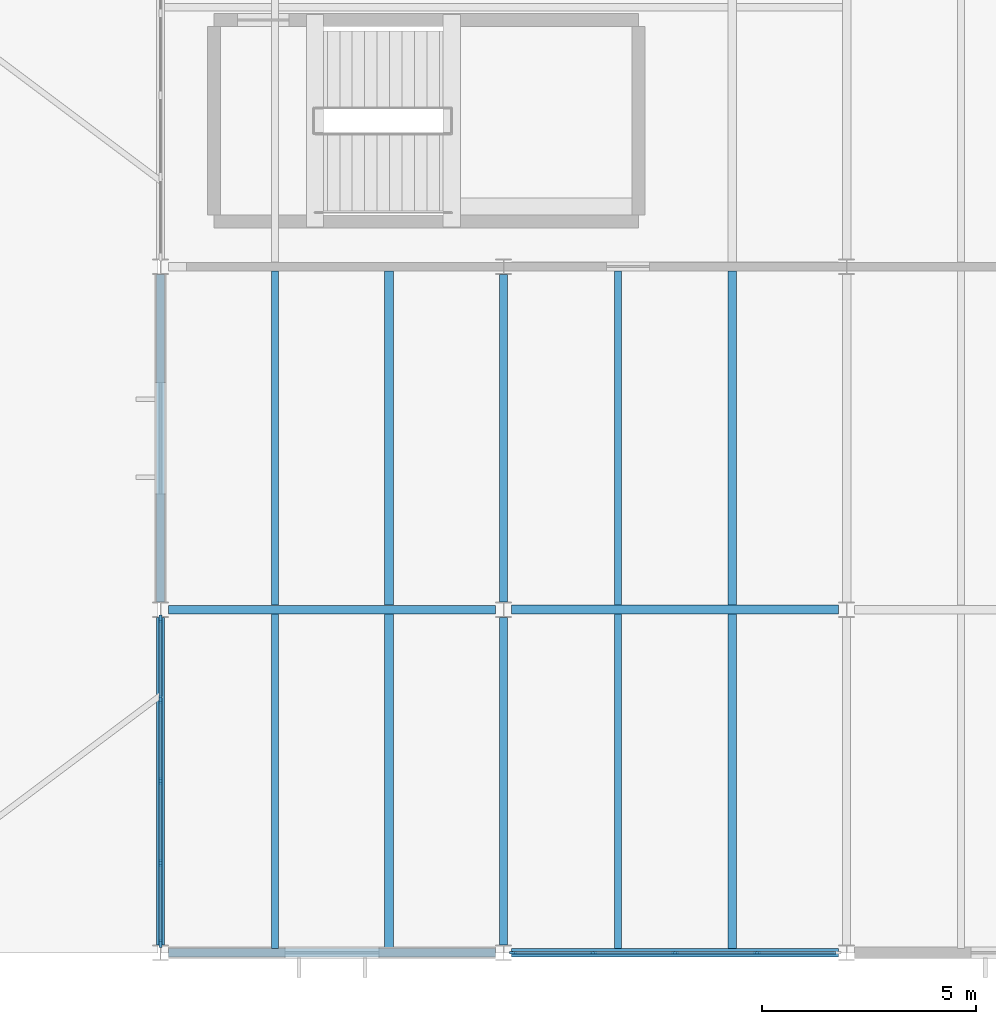
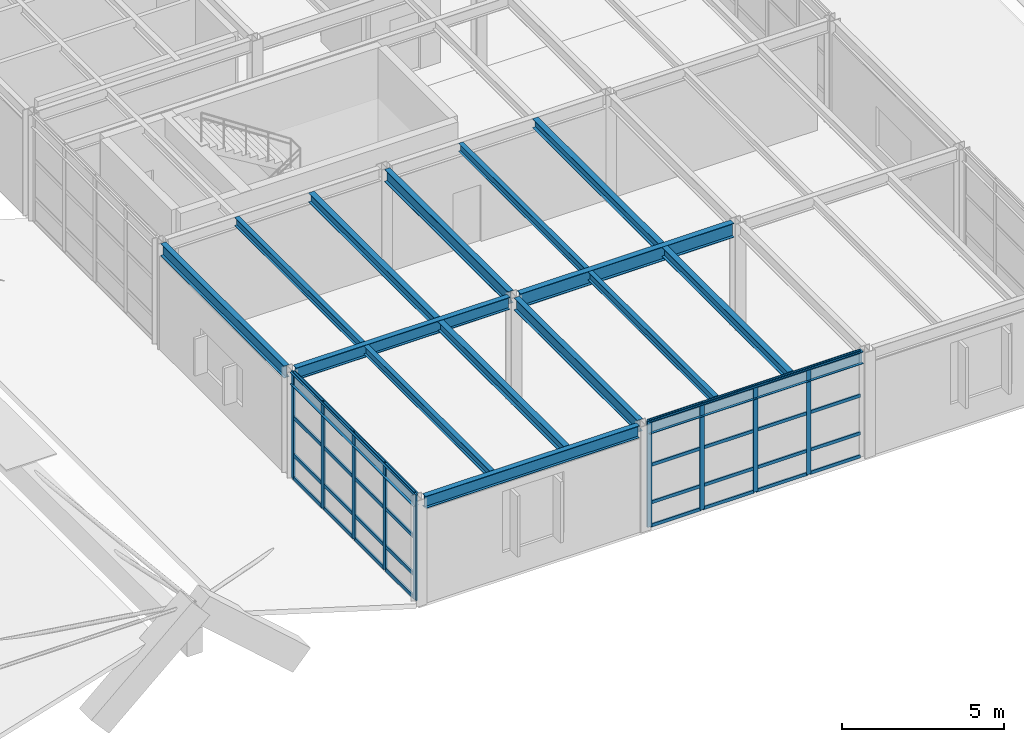
# One storey, part 23 of 50: 41 members, 16 beams, 2 elements without a shape of their own.
"""IFC4 building model written with IfcOpenShell, lengths in metres."""

from ifc_helpers import new_model, si_unit, direction, frame, origin, origin_2d, place, context, subcontext, project, spatial, rectangle, i_section, extrude, material, layer, layer_set, material_profile, profile_set, type_object, element, aggregate, save


model = new_model("IFC4")

# Units and contexts
model_context = context("Model", 3, precision=1e-05, world=origin(), true_north=direction((0.0, 1.0)))
body_context = subcontext(model_context, "Body", "Model", "MODEL_VIEW")
ifc_project = project(units=[si_unit("LENGTHUNIT", "METRE"), si_unit("AREAUNIT", "SQUARE_METRE"), si_unit("VOLUMEUNIT", "CUBIC_METRE"), si_unit("PLANEANGLEUNIT", "RADIAN"), si_unit("MASSUNIT", "GRAM", prefix="KILO")], contexts=[model_context])

# Site, building, storey
site_placement = place(None, origin())
site = spatial("IfcSite", under=ifc_project, at=site_placement, CompositionType="ELEMENT")
building_placement = place(site_placement, origin())
building = spatial("IfcBuilding", under=site, at=building_placement, Name="Varnela Railside Interchange", CompositionType="ELEMENT")
storey_placement = place(building_placement, frame((0.0, 0.0, 15.39990234375)))
storey = spatial("IfcBuildingStorey", under=building, at=storey_placement, Name="L03", CompositionType="ELEMENT", Elevation=15.39990234375)

# Beams
ifc_material_1 = material(Name="Steel AR 350 (350 MPa)", Category="steel")
ifc_material_profile_1 = material_profile(ifc_material_1, i_section(OverallWidth=0.1650390625, OverallDepth=0.31005859375, WebThickness=0.005859375, FlangeThickness=0.009765625, at=origin_2d()), Name="W310x38.7")
ifc_profile_set_1 = profile_set([ifc_material_profile_1], Name="Steel AR 350 (350 MPa)")
beam_type_1 = type_object("IfcBeamType", Name="Composite Floor Joist J-04", PredefinedType="JOIST", material=ifc_profile_set_1)
for number, where, z_axis, x_axis, name in (
    (1, (118.669921875, 38.1044921875, 3.84521484375), (0.0, 1.0, 0.0), (-1.0, 0.0, 0.0), "Composite Floor Joist J-04 (L03) (BM-2132)"),
    (2, (118.669921875, 46.1044921875, 3.84521484375), (0.0, 1.0, 0.0), (-1.0, 0.0, 0.0), "Composite Floor Joist J-04 (L03) (BM-2134)"),
    (3, (126.669921875, 38.1044921875, 3.84521484375), (0.0, 1.0, 0.0), (-1.0, 0.0, 0.0), "Composite Floor Joist J-04 (L03) (BM-2145)"),
    (4, (126.669921875, 46.1044921875, 3.84521484375), (0.0, 1.0, 0.0), (-1.0, 0.0, 0.0), "Composite Floor Joist J-04 (L03) (BM-2147)"),
):
    element("IfcBeam", number, at=place(storey_placement, frame(where, z_axis=z_axis, x_axis=x_axis)), inside=storey, type_object=beam_type_1, Name=name, PredefinedType="JOIST", context=body_context, shape_type="SweptSolid", body=[
        extrude(i_section(OverallWidth=0.1650390625, OverallDepth=0.31005859375, WebThickness=0.005859375, FlangeThickness=0.009765625, at=origin_2d()), origin(), (0.0, 0.0, 1.0), 7.791015625),
    ])
ifc_material_profile_2 = material_profile(ifc_material_1, i_section(OverallWidth=0.208984375, OverallDepth=0.532958984375, WebThickness=0.01025390625, FlangeThickness=0.015625, at=origin_2d()), Name="W530x92")
ifc_profile_set_2 = profile_set([ifc_material_profile_2], Name="Steel AR 350 (350 MPa)")
beam_type_2 = type_object("IfcBeamType", Name="Composite Girder B-18", PredefinedType="BEAM", material=ifc_profile_set_2)
beam_1_placement = place(storey_placement, frame((124.1865234375, 46.0, 3.733642578125), z_axis=(1.0, 0.0, 0.0), x_axis=(0.0, 1.0, 0.0)))
element("IfcBeam", 5, at=beam_1_placement, inside=storey, type_object=beam_type_2, Name="Composite Girder B-18 (L03) (BM-2223)", PredefinedType="BEAM", context=body_context, shape_type="SweptSolid", body=[
    extrude(i_section(OverallWidth=0.208984375, OverallDepth=0.532958984375, WebThickness=0.01025390625, FlangeThickness=0.015625, at=origin_2d()), origin(), (0.0, 0.0, 1.0), 7.626953125),
])
ifc_material_profile_3 = material_profile(ifc_material_1, i_section(OverallWidth=0.202880859375, OverallDepth=0.346923828125, WebThickness=0.0078125, FlangeThickness=0.013427734375, at=origin_2d()), Name="W360x64")
ifc_profile_set_3 = profile_set([ifc_material_profile_3], Name="Steel AR 350 (350 MPa)")
beam_type_3 = type_object("IfcBeamType", Name="Composite Heavy Joist J-01", PredefinedType="JOIST", material=ifc_profile_set_3)
for number, where, z_axis, x_axis, name in (
    (6, (121.330078125, 38.1044921875, 3.82666015625), (0.0, 1.0, 0.0), (-1.0, 0.0, 0.0), "Composite Heavy Joist J-01 (L03) (BM-2133)"),
    (7, (121.330078125, 46.1044921875, 3.82666015625), (0.0, 1.0, 0.0), (-1.0, 0.0, 0.0), "Composite Heavy Joist J-01 (L03) (BM-2135)"),
    (8, (129.330078125, 38.1044921875, 3.82666015625), (0.0, 1.0, 0.0), (-1.0, 0.0, 0.0), "Composite Heavy Joist J-01 (L03) (BM-2146)"),
    (9, (129.330078125, 46.1044921875, 3.82666015625), (0.0, 1.0, 0.0), (-1.0, 0.0, 0.0), "Composite Heavy Joist J-01 (L03) (BM-2148)"),
):
    element("IfcBeam", number, at=place(storey_placement, frame(where, z_axis=z_axis, x_axis=x_axis)), inside=storey, type_object=beam_type_3, Name=name, PredefinedType="JOIST", context=body_context, shape_type="SweptSolid", body=[
        extrude(i_section(OverallWidth=0.202880859375, OverallDepth=0.346923828125, WebThickness=0.0078125, FlangeThickness=0.013427734375, at=origin_2d()), origin(), (0.0, 0.0, 1.0), 7.791015625),
    ])
ifc_material_profile_4 = material_profile(ifc_material_1, i_section(OverallWidth=0.194091796875, OverallDepth=0.468994140625, WebThickness=0.0126953125, FlangeThickness=0.0205078125, at=origin_2d()), Name="W460x106")
ifc_profile_set_4 = profile_set([ifc_material_profile_4], Name="Steel AR 350 (350 MPa)")
beam_type_4 = type_object("IfcBeamType", Name="Composite Primary Beam B-19", PredefinedType="BEAM", material=ifc_profile_set_4)
beam_2_placement = place(storey_placement, frame((124.0, 46.18408203125, 3.765625), z_axis=(0.0, 1.0, 0.0), x_axis=(-1.0, 0.0, 0.0)))
element("IfcBeam", 10, at=beam_2_placement, inside=storey, type_object=beam_type_4, Name="Composite Primary Beam B-19 (L03) (BM-2284)", PredefinedType="BEAM", context=body_context, shape_type="SweptSolid", body=[
    extrude(i_section(OverallWidth=0.194091796875, OverallDepth=0.468994140625, WebThickness=0.0126953125, FlangeThickness=0.0205078125, at=origin_2d()), origin(), (0.0, 0.0, 1.0), 7.6318359375),
])

# Curtain wall, members
ifc_material_2 = material(Name="Aluminium 6063-T6", Category="aluminium")
ifc_layer_1 = layer(ifc_material_2, 0.035888671875)
ifc_layer_set_1 = layer_set([ifc_layer_1], Name="Aluminium 6063-T6")
curtain_wall_type_1 = type_object("IfcCurtainWallType", Name="Concourse Triple-Height Curtain Wall CW-01", PredefinedType="USERDEFINED", material=ifc_layer_set_1)
curtain_wall_1_placement = place(storey_placement, origin())
curtain_wall_1 = element("IfcCurtainWall", 11, at=curtain_wall_1_placement, inside=storey, type_object=curtain_wall_type_1, Name="Curtain Wall CW-01 (L03) (CW-089)", ObjectType="CURTAIN WALL", PredefinedType="USERDEFINED")
ifc_material_profile_5 = material_profile(ifc_material_2, rectangle(XDim=0.06494140625, YDim=0.179931640625, at=origin_2d()), Name="ALU 65x180")
ifc_profile_set_5 = profile_set([ifc_material_profile_5], Name="Aluminium 6063-T6")
member_type_1 = type_object("IfcMemberType", Name="Concourse Tall Mullion ML-03", PredefinedType="MULLION", material=ifc_profile_set_5)
member_1_placement = place(storey_placement, frame((116.0, 38.216552734375, 0.0), z_axis=(0.0, 0.0, 1.0), x_axis=(-1.0, 0.0, 0.0)))
member_1 = element("IfcMember", 12, at=member_1_placement, type_object=member_type_1, Name="CW-01 mullion 1", PredefinedType="MULLION", context=body_context, shape_type="SweptSolid", body=[
    extrude(rectangle(XDim=0.06494140625, YDim=0.179931640625, at=origin_2d()), origin(), (0.0, 0.0, 1.0), 4.0),
])
member_2_placement = place(storey_placement, frame((116.0, 40.092041015625, 0.0), z_axis=(0.0, 0.0, 1.0), x_axis=(-1.0, 0.0, 0.0)))
member_2 = element("IfcMember", 13, at=member_2_placement, type_object=member_type_1, Name="CW-01 mullion 2", PredefinedType="MULLION", context=body_context, shape_type="SweptSolid", body=[
    extrude(rectangle(XDim=0.06494140625, YDim=0.179931640625, at=origin_2d()), origin(), (0.0, 0.0, 1.0), 4.0),
])
member_3_placement = place(storey_placement, frame((116.0, 42.0, 0.0), z_axis=(0.0, 0.0, 1.0), x_axis=(-1.0, 0.0, 0.0)))
member_3 = element("IfcMember", 14, at=member_3_placement, type_object=member_type_1, Name="CW-01 mullion 3", PredefinedType="MULLION", context=body_context, shape_type="SweptSolid", body=[
    extrude(rectangle(XDim=0.06494140625, YDim=0.179931640625, at=origin_2d()), origin(), (0.0, 0.0, 1.0), 4.0),
])
member_4_placement = place(storey_placement, frame((116.0, 43.907958984375, 0.0), z_axis=(0.0, 0.0, 1.0), x_axis=(-1.0, 0.0, 0.0)))
member_4 = element("IfcMember", 15, at=member_4_placement, type_object=member_type_1, Name="CW-01 mullion 4", PredefinedType="MULLION", context=body_context, shape_type="SweptSolid", body=[
    extrude(rectangle(XDim=0.06494140625, YDim=0.179931640625, at=origin_2d()), origin(), (0.0, 0.0, 1.0), 4.0),
])
member_5_placement = place(storey_placement, frame((116.0, 45.783447265625, 0.0), z_axis=(0.0, 0.0, 1.0), x_axis=(-1.0, 0.0, 0.0)))
member_5 = element("IfcMember", 16, at=member_5_placement, type_object=member_type_1, Name="CW-01 mullion 5", PredefinedType="MULLION", context=body_context, shape_type="SweptSolid", body=[
    extrude(rectangle(XDim=0.06494140625, YDim=0.179931640625, at=origin_2d()), origin(), (0.0, 0.0, 1.0), 4.0),
])
ifc_material_profile_6 = material_profile(ifc_material_2, rectangle(XDim=0.06494140625, YDim=0.135009765625, at=origin_2d()), Name="ALU 65x135")
ifc_profile_set_6 = profile_set([ifc_material_profile_6], Name="Aluminium 6063-T6")
member_type_2 = type_object("IfcMemberType", Name="Concourse Transom TR-03", PredefinedType="USERDEFINED", material=ifc_profile_set_6)
member_6_placement = place(storey_placement, frame((116.0, 38.2490234375, 0.03271484375), z_axis=(0.0, 1.0, 0.0), x_axis=(-1.0, 0.0, 0.0)))
member_6 = element("IfcMember", 17, at=member_6_placement, type_object=member_type_2, Name="CW-01 transom 1.1", ObjectType="TRANSOM", PredefinedType="USERDEFINED", context=body_context, shape_type="SweptSolid", body=[
    extrude(rectangle(XDim=0.06494140625, YDim=0.135009765625, at=origin_2d()), origin(), (0.0, 0.0, 1.0), 1.810546875),
])
member_7_placement = place(storey_placement, frame((116.0, 38.2490234375, 0.900146484375), z_axis=(0.0, 1.0, 0.0), x_axis=(-1.0, 0.0, 0.0)))
member_7 = element("IfcMember", 18, at=member_7_placement, type_object=member_type_2, Name="CW-01 transom 1.2", ObjectType="TRANSOM", PredefinedType="USERDEFINED", context=body_context, shape_type="SweptSolid", body=[
    extrude(rectangle(XDim=0.06494140625, YDim=0.135009765625, at=origin_2d()), origin(), (0.0, 0.0, 1.0), 1.810546875),
])
member_8_placement = place(storey_placement, frame((116.0, 38.2490234375, 2.320068359375), z_axis=(0.0, 1.0, 0.0), x_axis=(-1.0, 0.0, 0.0)))
member_8 = element("IfcMember", 19, at=member_8_placement, type_object=member_type_2, Name="CW-01 transom 1.3", ObjectType="TRANSOM", PredefinedType="USERDEFINED", context=body_context, shape_type="SweptSolid", body=[
    extrude(rectangle(XDim=0.06494140625, YDim=0.135009765625, at=origin_2d()), origin(), (0.0, 0.0, 1.0), 1.810546875),
])
member_9_placement = place(storey_placement, frame((116.0, 38.2490234375, 3.967529296875), z_axis=(0.0, 1.0, 0.0), x_axis=(-1.0, 0.0, 0.0)))
member_9 = element("IfcMember", 20, at=member_9_placement, type_object=member_type_2, Name="CW-01 transom 1.4", ObjectType="TRANSOM", PredefinedType="USERDEFINED", context=body_context, shape_type="SweptSolid", body=[
    extrude(rectangle(XDim=0.06494140625, YDim=0.135009765625, at=origin_2d()), origin(), (0.0, 0.0, 1.0), 1.810546875),
])
member_10_placement = place(storey_placement, frame((116.0, 40.12451171875, 0.03271484375), z_axis=(0.0, 1.0, 0.0), x_axis=(-1.0, 0.0, 0.0)))
member_10 = element("IfcMember", 21, at=member_10_placement, type_object=member_type_2, Name="CW-01 transom 2.1", ObjectType="TRANSOM", PredefinedType="USERDEFINED", context=body_context, shape_type="SweptSolid", body=[
    extrude(rectangle(XDim=0.06494140625, YDim=0.135009765625, at=origin_2d()), origin(), (0.0, 0.0, 1.0), 1.843017578125),
])
member_11_placement = place(storey_placement, frame((116.0, 40.12451171875, 0.900146484375), z_axis=(0.0, 1.0, 0.0), x_axis=(-1.0, 0.0, 0.0)))
member_11 = element("IfcMember", 22, at=member_11_placement, type_object=member_type_2, Name="CW-01 transom 2.2", ObjectType="TRANSOM", PredefinedType="USERDEFINED", context=body_context, shape_type="SweptSolid", body=[
    extrude(rectangle(XDim=0.06494140625, YDim=0.135009765625, at=origin_2d()), origin(), (0.0, 0.0, 1.0), 1.843017578125),
])
member_12_placement = place(storey_placement, frame((116.0, 40.12451171875, 2.320068359375), z_axis=(0.0, 1.0, 0.0), x_axis=(-1.0, 0.0, 0.0)))
member_12 = element("IfcMember", 23, at=member_12_placement, type_object=member_type_2, Name="CW-01 transom 2.3", ObjectType="TRANSOM", PredefinedType="USERDEFINED", context=body_context, shape_type="SweptSolid", body=[
    extrude(rectangle(XDim=0.06494140625, YDim=0.135009765625, at=origin_2d()), origin(), (0.0, 0.0, 1.0), 1.843017578125),
])
member_13_placement = place(storey_placement, frame((116.0, 40.12451171875, 3.967529296875), z_axis=(0.0, 1.0, 0.0), x_axis=(-1.0, 0.0, 0.0)))
member_13 = element("IfcMember", 24, at=member_13_placement, type_object=member_type_2, Name="CW-01 transom 2.4", ObjectType="TRANSOM", PredefinedType="USERDEFINED", context=body_context, shape_type="SweptSolid", body=[
    extrude(rectangle(XDim=0.06494140625, YDim=0.135009765625, at=origin_2d()), origin(), (0.0, 0.0, 1.0), 1.843017578125),
])
member_14_placement = place(storey_placement, frame((116.0, 42.032470703125, 0.03271484375), z_axis=(0.0, 1.0, 0.0), x_axis=(-1.0, 0.0, 0.0)))
member_14 = element("IfcMember", 25, at=member_14_placement, type_object=member_type_2, Name="CW-01 transom 3.1", ObjectType="TRANSOM", PredefinedType="USERDEFINED", context=body_context, shape_type="SweptSolid", body=[
    extrude(rectangle(XDim=0.06494140625, YDim=0.135009765625, at=origin_2d()), origin(), (0.0, 0.0, 1.0), 1.843017578125),
])
member_15_placement = place(storey_placement, frame((116.0, 42.032470703125, 0.900146484375), z_axis=(0.0, 1.0, 0.0), x_axis=(-1.0, 0.0, 0.0)))
member_15 = element("IfcMember", 26, at=member_15_placement, type_object=member_type_2, Name="CW-01 transom 3.2", ObjectType="TRANSOM", PredefinedType="USERDEFINED", context=body_context, shape_type="SweptSolid", body=[
    extrude(rectangle(XDim=0.06494140625, YDim=0.135009765625, at=origin_2d()), origin(), (0.0, 0.0, 1.0), 1.843017578125),
])
member_16_placement = place(storey_placement, frame((116.0, 42.032470703125, 2.320068359375), z_axis=(0.0, 1.0, 0.0), x_axis=(-1.0, 0.0, 0.0)))
member_16 = element("IfcMember", 27, at=member_16_placement, type_object=member_type_2, Name="CW-01 transom 3.3", ObjectType="TRANSOM", PredefinedType="USERDEFINED", context=body_context, shape_type="SweptSolid", body=[
    extrude(rectangle(XDim=0.06494140625, YDim=0.135009765625, at=origin_2d()), origin(), (0.0, 0.0, 1.0), 1.843017578125),
])
member_17_placement = place(storey_placement, frame((116.0, 42.032470703125, 3.967529296875), z_axis=(0.0, 1.0, 0.0), x_axis=(-1.0, 0.0, 0.0)))
member_17 = element("IfcMember", 28, at=member_17_placement, type_object=member_type_2, Name="CW-01 transom 3.4", ObjectType="TRANSOM", PredefinedType="USERDEFINED", context=body_context, shape_type="SweptSolid", body=[
    extrude(rectangle(XDim=0.06494140625, YDim=0.135009765625, at=origin_2d()), origin(), (0.0, 0.0, 1.0), 1.843017578125),
])
member_18_placement = place(storey_placement, frame((116.0, 43.9404296875, 0.03271484375), z_axis=(0.0, 1.0, 0.0), x_axis=(-1.0, 0.0, 0.0)))
member_18 = element("IfcMember", 29, at=member_18_placement, type_object=member_type_2, Name="CW-01 transom 4.1", ObjectType="TRANSOM", PredefinedType="USERDEFINED", context=body_context, shape_type="SweptSolid", body=[
    extrude(rectangle(XDim=0.06494140625, YDim=0.135009765625, at=origin_2d()), origin(), (0.0, 0.0, 1.0), 1.810546875),
])
member_19_placement = place(storey_placement, frame((116.0, 43.9404296875, 0.900146484375), z_axis=(0.0, 1.0, 0.0), x_axis=(-1.0, 0.0, 0.0)))
member_19 = element("IfcMember", 30, at=member_19_placement, type_object=member_type_2, Name="CW-01 transom 4.2", ObjectType="TRANSOM", PredefinedType="USERDEFINED", context=body_context, shape_type="SweptSolid", body=[
    extrude(rectangle(XDim=0.06494140625, YDim=0.135009765625, at=origin_2d()), origin(), (0.0, 0.0, 1.0), 1.810546875),
])
member_20_placement = place(storey_placement, frame((116.0, 43.9404296875, 2.320068359375), z_axis=(0.0, 1.0, 0.0), x_axis=(-1.0, 0.0, 0.0)))
member_20 = element("IfcMember", 31, at=member_20_placement, type_object=member_type_2, Name="CW-01 transom 4.3", ObjectType="TRANSOM", PredefinedType="USERDEFINED", context=body_context, shape_type="SweptSolid", body=[
    extrude(rectangle(XDim=0.06494140625, YDim=0.135009765625, at=origin_2d()), origin(), (0.0, 0.0, 1.0), 1.810546875),
])
member_21_placement = place(storey_placement, frame((116.0, 43.9404296875, 3.967529296875), z_axis=(0.0, 1.0, 0.0), x_axis=(-1.0, 0.0, 0.0)))
member_21 = element("IfcMember", 32, at=member_21_placement, type_object=member_type_2, Name="CW-01 transom 4.4", ObjectType="TRANSOM", PredefinedType="USERDEFINED", context=body_context, shape_type="SweptSolid", body=[
    extrude(rectangle(XDim=0.06494140625, YDim=0.135009765625, at=origin_2d()), origin(), (0.0, 0.0, 1.0), 1.810546875),
])
aggregate(curtain_wall_1, [member_1, member_2, member_3, member_4, member_5, member_6, member_7, member_8, member_9, member_10, member_11, member_12, member_13, member_14, member_15, member_16, member_17, member_18, member_19, member_20, member_21])

ifc_layer_2 = layer(ifc_material_2, 0.035888671875)
ifc_layer_set_2 = layer_set([ifc_layer_2], Name="Aluminium 6063-T6")
curtain_wall_type_2 = type_object("IfcCurtainWallType", Name="Study Pavilion Gallery Curtain Wall CW-02", PredefinedType="USERDEFINED", material=ifc_layer_set_2)
curtain_wall_2_placement = place(storey_placement, origin())
curtain_wall_2 = element("IfcCurtainWall", 33, at=curtain_wall_2_placement, inside=storey, type_object=curtain_wall_type_2, Name="Curtain Wall CW-02 (L03) (CW-088)", ObjectType="CURTAIN WALL", PredefinedType="USERDEFINED")
ifc_material_profile_7 = material_profile(ifc_material_2, rectangle(XDim=0.06005859375, YDim=0.159912109375, at=origin_2d()), Name="ALU 60x160")
ifc_profile_set_7 = profile_set([ifc_material_profile_7], Name="Aluminium 6063-T6")
member_type_3 = type_object("IfcMemberType", Name="Curtain Wall Mullion ML-02", PredefinedType="MULLION", material=ifc_profile_set_7)
member_22_placement = place(storey_placement, frame((129.90673828125, 38.0, 0.0), z_axis=(0.0, 0.0, 1.0), x_axis=(0.0, -1.0, 0.0)))
member_22 = element("IfcMember", 34, at=member_22_placement, type_object=member_type_3, Name="CW-02 mullion 2", PredefinedType="MULLION", context=body_context, shape_type="SweptSolid", body=[
    extrude(rectangle(XDim=0.06005859375, YDim=0.159912109375, at=origin_2d()), origin(), (0.0, 0.0, 1.0), 4.0),
])
member_23_placement = place(storey_placement, frame((128.0, 38.0, 0.0), z_axis=(0.0, 0.0, 1.0), x_axis=(0.0, -1.0, 0.0)))
member_23 = element("IfcMember", 35, at=member_23_placement, type_object=member_type_3, Name="CW-02 mullion 3", PredefinedType="MULLION", context=body_context, shape_type="SweptSolid", body=[
    extrude(rectangle(XDim=0.06005859375, YDim=0.159912109375, at=origin_2d()), origin(), (0.0, 0.0, 1.0), 4.0),
])
member_24_placement = place(storey_placement, frame((126.09326171875, 38.0, 0.0), z_axis=(0.0, 0.0, 1.0), x_axis=(0.0, -1.0, 0.0)))
member_24 = element("IfcMember", 36, at=member_24_placement, type_object=member_type_3, Name="CW-02 mullion 4", PredefinedType="MULLION", context=body_context, shape_type="SweptSolid", body=[
    extrude(rectangle(XDim=0.06005859375, YDim=0.159912109375, at=origin_2d()), origin(), (0.0, 0.0, 1.0), 4.0),
])
member_25_placement = place(storey_placement, frame((124.216552734375, 38.0, 0.0), z_axis=(0.0, 0.0, 1.0), x_axis=(0.0, -1.0, 0.0)))
member_25 = element("IfcMember", 37, at=member_25_placement, type_object=member_type_3, Name="CW-02 mullion 5", PredefinedType="MULLION", context=body_context, shape_type="SweptSolid", body=[
    extrude(rectangle(XDim=0.06005859375, YDim=0.159912109375, at=origin_2d()), origin(), (0.0, 0.0, 1.0), 4.0),
])
ifc_material_profile_8 = material_profile(ifc_material_2, rectangle(XDim=0.06005859375, YDim=0.1201171875, at=origin_2d()), Name="ALU 60x120")
ifc_profile_set_8 = profile_set([ifc_material_profile_8], Name="Aluminium 6063-T6")
member_type_4 = type_object("IfcMemberType", Name="Curtain Wall Transom TR-02", PredefinedType="USERDEFINED", material=ifc_profile_set_8)
member_26_placement = place(storey_placement, frame((131.75341796875, 38.0, 0.030029296875), z_axis=(-1.0, 0.0, 0.0), x_axis=(0.0, -1.0, 0.0)))
member_26 = element("IfcMember", 38, at=member_26_placement, type_object=member_type_4, Name="CW-02 transom 1.1", ObjectType="TRANSOM", PredefinedType="USERDEFINED", context=body_context, shape_type="SweptSolid", body=[
    extrude(rectangle(XDim=0.06005859375, YDim=0.1201171875, at=origin_2d()), origin(), (0.0, 0.0, 1.0), 1.816650390625),
])
member_27_placement = place(storey_placement, frame((131.75341796875, 38.0, 0.900146484375), z_axis=(-1.0, 0.0, 0.0), x_axis=(0.0, -1.0, 0.0)))
member_27 = element("IfcMember", 39, at=member_27_placement, type_object=member_type_4, Name="CW-02 transom 1.2", ObjectType="TRANSOM", PredefinedType="USERDEFINED", context=body_context, shape_type="SweptSolid", body=[
    extrude(rectangle(XDim=0.06005859375, YDim=0.1201171875, at=origin_2d()), origin(), (0.0, 0.0, 1.0), 1.816650390625),
])
member_28_placement = place(storey_placement, frame((131.75341796875, 38.0, 2.320068359375), z_axis=(-1.0, 0.0, 0.0), x_axis=(0.0, -1.0, 0.0)))
member_28 = element("IfcMember", 40, at=member_28_placement, type_object=member_type_4, Name="CW-02 transom 1.3", ObjectType="TRANSOM", PredefinedType="USERDEFINED", context=body_context, shape_type="SweptSolid", body=[
    extrude(rectangle(XDim=0.06005859375, YDim=0.1201171875, at=origin_2d()), origin(), (0.0, 0.0, 1.0), 1.816650390625),
])
member_29_placement = place(storey_placement, frame((131.75341796875, 38.0, 3.97021484375), z_axis=(-1.0, 0.0, 0.0), x_axis=(0.0, -1.0, 0.0)))
member_29 = element("IfcMember", 41, at=member_29_placement, type_object=member_type_4, Name="CW-02 transom 1.4", ObjectType="TRANSOM", PredefinedType="USERDEFINED", context=body_context, shape_type="SweptSolid", body=[
    extrude(rectangle(XDim=0.06005859375, YDim=0.1201171875, at=origin_2d()), origin(), (0.0, 0.0, 1.0), 1.816650390625),
])
member_30_placement = place(storey_placement, frame((129.876708984375, 38.0, 0.030029296875), z_axis=(-1.0, 0.0, 0.0), x_axis=(0.0, -1.0, 0.0)))
member_30 = element("IfcMember", 42, at=member_30_placement, type_object=member_type_4, Name="CW-02 transom 2.1", ObjectType="TRANSOM", PredefinedType="USERDEFINED", context=body_context, shape_type="SweptSolid", body=[
    extrude(rectangle(XDim=0.06005859375, YDim=0.1201171875, at=origin_2d()), origin(), (0.0, 0.0, 1.0), 1.8466796875),
])
member_31_placement = place(storey_placement, frame((129.876708984375, 38.0, 0.900146484375), z_axis=(-1.0, 0.0, 0.0), x_axis=(0.0, -1.0, 0.0)))
member_31 = element("IfcMember", 43, at=member_31_placement, type_object=member_type_4, Name="CW-02 transom 2.2", ObjectType="TRANSOM", PredefinedType="USERDEFINED", context=body_context, shape_type="SweptSolid", body=[
    extrude(rectangle(XDim=0.06005859375, YDim=0.1201171875, at=origin_2d()), origin(), (0.0, 0.0, 1.0), 1.8466796875),
])
member_32_placement = place(storey_placement, frame((129.876708984375, 38.0, 2.320068359375), z_axis=(-1.0, 0.0, 0.0), x_axis=(0.0, -1.0, 0.0)))
member_32 = element("IfcMember", 44, at=member_32_placement, type_object=member_type_4, Name="CW-02 transom 2.3", ObjectType="TRANSOM", PredefinedType="USERDEFINED", context=body_context, shape_type="SweptSolid", body=[
    extrude(rectangle(XDim=0.06005859375, YDim=0.1201171875, at=origin_2d()), origin(), (0.0, 0.0, 1.0), 1.8466796875),
])
member_33_placement = place(storey_placement, frame((129.876708984375, 38.0, 3.97021484375), z_axis=(-1.0, 0.0, 0.0), x_axis=(0.0, -1.0, 0.0)))
member_33 = element("IfcMember", 45, at=member_33_placement, type_object=member_type_4, Name="CW-02 transom 2.4", ObjectType="TRANSOM", PredefinedType="USERDEFINED", context=body_context, shape_type="SweptSolid", body=[
    extrude(rectangle(XDim=0.06005859375, YDim=0.1201171875, at=origin_2d()), origin(), (0.0, 0.0, 1.0), 1.8466796875),
])
member_34_placement = place(storey_placement, frame((127.969970703125, 38.0, 0.030029296875), z_axis=(-1.0, 0.0, 0.0), x_axis=(0.0, -1.0, 0.0)))
member_34 = element("IfcMember", 46, at=member_34_placement, type_object=member_type_4, Name="CW-02 transom 3.1", ObjectType="TRANSOM", PredefinedType="USERDEFINED", context=body_context, shape_type="SweptSolid", body=[
    extrude(rectangle(XDim=0.06005859375, YDim=0.1201171875, at=origin_2d()), origin(), (0.0, 0.0, 1.0), 1.8466796875),
])
member_35_placement = place(storey_placement, frame((127.969970703125, 38.0, 0.900146484375), z_axis=(-1.0, 0.0, 0.0), x_axis=(0.0, -1.0, 0.0)))
member_35 = element("IfcMember", 47, at=member_35_placement, type_object=member_type_4, Name="CW-02 transom 3.2", ObjectType="TRANSOM", PredefinedType="USERDEFINED", context=body_context, shape_type="SweptSolid", body=[
    extrude(rectangle(XDim=0.06005859375, YDim=0.1201171875, at=origin_2d()), origin(), (0.0, 0.0, 1.0), 1.8466796875),
])
member_36_placement = place(storey_placement, frame((127.969970703125, 38.0, 2.320068359375), z_axis=(-1.0, 0.0, 0.0), x_axis=(0.0, -1.0, 0.0)))
member_36 = element("IfcMember", 48, at=member_36_placement, type_object=member_type_4, Name="CW-02 transom 3.3", ObjectType="TRANSOM", PredefinedType="USERDEFINED", context=body_context, shape_type="SweptSolid", body=[
    extrude(rectangle(XDim=0.06005859375, YDim=0.1201171875, at=origin_2d()), origin(), (0.0, 0.0, 1.0), 1.8466796875),
])
member_37_placement = place(storey_placement, frame((127.969970703125, 38.0, 3.97021484375), z_axis=(-1.0, 0.0, 0.0), x_axis=(0.0, -1.0, 0.0)))
member_37 = element("IfcMember", 49, at=member_37_placement, type_object=member_type_4, Name="CW-02 transom 3.4", ObjectType="TRANSOM", PredefinedType="USERDEFINED", context=body_context, shape_type="SweptSolid", body=[
    extrude(rectangle(XDim=0.06005859375, YDim=0.1201171875, at=origin_2d()), origin(), (0.0, 0.0, 1.0), 1.8466796875),
])
member_38_placement = place(storey_placement, frame((126.063232421875, 38.0, 0.030029296875), z_axis=(-1.0, 0.0, 0.0), x_axis=(0.0, -1.0, 0.0)))
member_38 = element("IfcMember", 50, at=member_38_placement, type_object=member_type_4, Name="CW-02 transom 4.1", ObjectType="TRANSOM", PredefinedType="USERDEFINED", context=body_context, shape_type="SweptSolid", body=[
    extrude(rectangle(XDim=0.06005859375, YDim=0.1201171875, at=origin_2d()), origin(), (0.0, 0.0, 1.0), 1.816650390625),
])
member_39_placement = place(storey_placement, frame((126.063232421875, 38.0, 0.900146484375), z_axis=(-1.0, 0.0, 0.0), x_axis=(0.0, -1.0, 0.0)))
member_39 = element("IfcMember", 51, at=member_39_placement, type_object=member_type_4, Name="CW-02 transom 4.2", ObjectType="TRANSOM", PredefinedType="USERDEFINED", context=body_context, shape_type="SweptSolid", body=[
    extrude(rectangle(XDim=0.06005859375, YDim=0.1201171875, at=origin_2d()), origin(), (0.0, 0.0, 1.0), 1.816650390625),
])
member_40_placement = place(storey_placement, frame((126.063232421875, 38.0, 2.320068359375), z_axis=(-1.0, 0.0, 0.0), x_axis=(0.0, -1.0, 0.0)))
member_40 = element("IfcMember", 52, at=member_40_placement, type_object=member_type_4, Name="CW-02 transom 4.3", ObjectType="TRANSOM", PredefinedType="USERDEFINED", context=body_context, shape_type="SweptSolid", body=[
    extrude(rectangle(XDim=0.06005859375, YDim=0.1201171875, at=origin_2d()), origin(), (0.0, 0.0, 1.0), 1.816650390625),
])
member_41_placement = place(storey_placement, frame((126.063232421875, 38.0, 3.97021484375), z_axis=(-1.0, 0.0, 0.0), x_axis=(0.0, -1.0, 0.0)))
member_41 = element("IfcMember", 53, at=member_41_placement, type_object=member_type_4, Name="CW-02 transom 4.4", ObjectType="TRANSOM", PredefinedType="USERDEFINED", context=body_context, shape_type="SweptSolid", body=[
    extrude(rectangle(XDim=0.06005859375, YDim=0.1201171875, at=origin_2d()), origin(), (0.0, 0.0, 1.0), 1.816650390625),
])
aggregate(curtain_wall_2, [member_22, member_23, member_24, member_25, member_26, member_27, member_28, member_29, member_30, member_31, member_32, member_33, member_34, member_35, member_36, member_37, member_38, member_39, member_40, member_41])

# Beams
ifc_material_profile_9 = material_profile(ifc_material_1, i_section(OverallWidth=0.19091796875, OverallDepth=0.4599609375, WebThickness=0.010009765625, FlangeThickness=0.01611328125, at=origin_2d()), Name="W460x82")
ifc_profile_set_9 = profile_set([ifc_material_profile_9], Name="Steel AR 350 (350 MPa)")
beam_type_5 = type_object("IfcBeamType", Name="Steel Perimeter Spandrel SP-01", PredefinedType="SPANDREL", material=ifc_profile_set_9)
for number, where, z_axis, x_axis, name in (
    (54, (116.1865234375, 38.0, 3.77001953125), (1.0, 0.0, 0.0), (0.0, 1.0, 0.0), "Steel Perimeter Spandrel SP-01 (L03) (BM-2213)"),
    (55, (124.1865234375, 38.0, 3.77001953125), (1.0, 0.0, 0.0), (0.0, 1.0, 0.0), "Steel Perimeter Spandrel SP-01 (L03) (BM-2214)"),
    (56, (116.1865234375, 46.0, 3.77001953125), (1.0, 0.0, 0.0), (0.0, 1.0, 0.0), "Steel Perimeter Spandrel SP-01 (L03) (BM-2222)"),
):
    element("IfcBeam", number, at=place(storey_placement, frame(where, z_axis=z_axis, x_axis=x_axis)), inside=storey, type_object=beam_type_5, Name=name, PredefinedType="SPANDREL", context=body_context, shape_type="SweptSolid", body=[
        extrude(i_section(OverallWidth=0.19091796875, OverallDepth=0.4599609375, WebThickness=0.010009765625, FlangeThickness=0.01611328125, at=origin_2d()), origin(), (0.0, 0.0, 1.0), 7.626953125),
    ])
for number, where, z_axis, x_axis, name in (
    (57, (116.0, 38.18408203125, 3.77001953125), (0.0, 1.0, 0.0), (-1.0, 0.0, 0.0), "Steel Perimeter Spandrel SP-01 (L03) (BM-2276)"),
    (58, (116.0, 46.18408203125, 3.77001953125), (0.0, 1.0, 0.0), (-1.0, 0.0, 0.0), "Steel Perimeter Spandrel SP-01 (L03) (BM-2277)"),
    (59, (124.0, 38.18408203125, 3.77001953125), (0.0, 1.0, 0.0), (-1.0, 0.0, 0.0), "Steel Perimeter Spandrel SP-01 (L03) (BM-2283)"),
):
    element("IfcBeam", number, at=place(storey_placement, frame(where, z_axis=z_axis, x_axis=x_axis)), inside=storey, type_object=beam_type_5, Name=name, PredefinedType="SPANDREL", context=body_context, shape_type="SweptSolid", body=[
        extrude(i_section(OverallWidth=0.19091796875, OverallDepth=0.4599609375, WebThickness=0.010009765625, FlangeThickness=0.01611328125, at=origin_2d()), origin(), (0.0, 0.0, 1.0), 7.6318359375),
    ])

save(model, "model.ifc")
